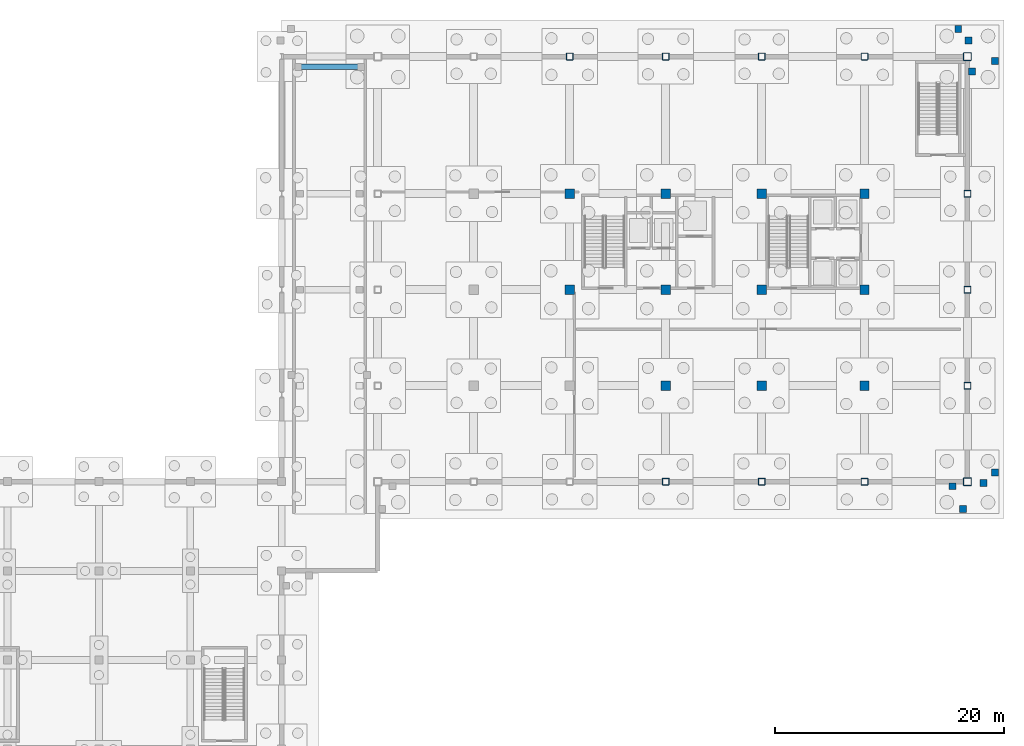
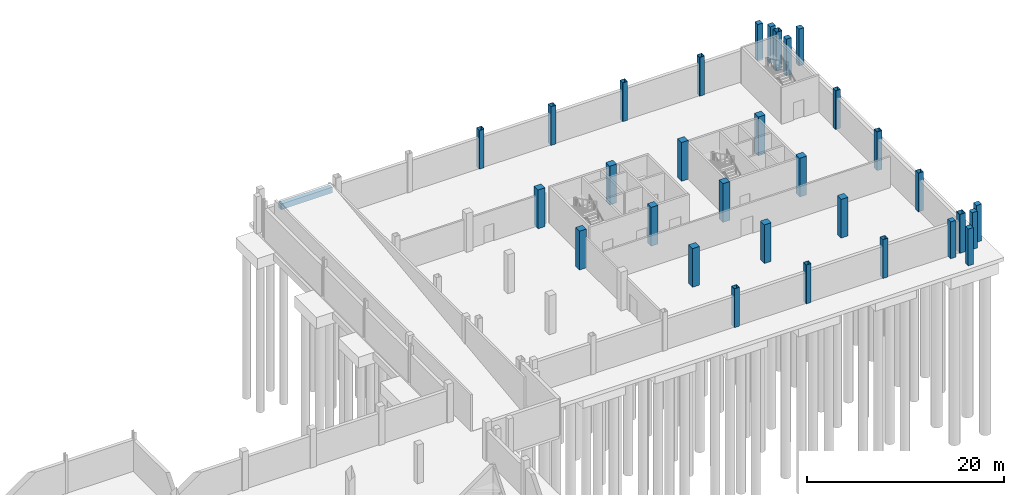
# One storey, part 28 of 44: 31 columns, 1 beam.
"""IFC4 building model written with IfcOpenShell, lengths in metres."""

from ifc_helpers import new_model, si_unit, direction, frame, origin, origin_2d, place, context, subcontext, project, spatial, rectangle, hollow_rectangle, extrude, material, material_profile, profile_set, type_object, element, save


model = new_model("IFC4")

# Units and contexts
model_context = context("Model", 3, precision=1e-05, world=origin(), true_north=direction((0.0, 1.0)))
body_context = subcontext(model_context, "Body", "Model", "MODEL_VIEW")
ifc_project = project(units=[si_unit("LENGTHUNIT", "METRE"), si_unit("AREAUNIT", "SQUARE_METRE"), si_unit("VOLUMEUNIT", "CUBIC_METRE"), si_unit("PLANEANGLEUNIT", "RADIAN"), si_unit("MASSUNIT", "GRAM", prefix="KILO")], contexts=[model_context])

# Site, building, storey
site_placement = place(None, origin())
site = spatial("IfcSite", under=ifc_project, at=site_placement, CompositionType="ELEMENT")
building_placement = place(site_placement, origin())
building = spatial("IfcBuilding", under=site, at=building_placement, Name="Yukiwa Park Conservatory and Herbarium", CompositionType="ELEMENT")
storey_placement = place(building_placement, frame((0.0, 0.0, -4.800048828125)))
storey = spatial("IfcBuildingStorey", under=building, at=storey_placement, Name="B1", CompositionType="ELEMENT", Elevation=-4.800048828125)

# Columns
ifc_material_1 = material(Name="Concrete C40", Category="concrete")
ifc_material_profile_1 = material_profile(ifc_material_1, rectangle(XDim=0.60009765625, YDim=0.60009765625, at=origin_2d()), Name="RC 600x600")
ifc_profile_set_1 = profile_set([ifc_material_profile_1], Name="Concrete C40")
column_type_1 = type_object("IfcColumnType", Name="COL-B1-RC600", PredefinedType="COLUMN", material=ifc_profile_set_1)
for number, where, z_axis, x_axis, name in (
    (1, (168.10009765625, 116.60009765625, 0.0), (0.0, 0.0, 1.0), (1.0, 0.0, 0.0), "Exterior frost apron pier 2"),
    (2, (167.195068359375, 117.60009765625, 0.0), (0.0, 0.0, 1.0), (1.0, 0.0, 0.0), "Exterior frost apron pier 3"),
    (3, (169.39990234375, 77.89990234375, 0.0), (0.0, 0.0, 1.0), (1.0, 0.0, 0.0), "Exterior frost apron pier 9"),
    (4, (170.39990234375, 78.800048828125, 0.0), (0.0, 0.0, 1.0), (1.0, 0.0, 0.0), "Exterior frost apron pier 10"),
    (5, (170.39990234375, 114.800048828125, 0.0), (0.0, 0.0, 1.0), (1.0, 0.0, 0.0), "Exterior frost apron pier 11"),
    (6, (168.39990234375, 113.89990234375, 0.0), (0.0, 0.0, 1.0), (1.0, 0.0, 0.0), "Exterior frost apron pier 12"),
    (7, (167.60009765625, 75.60009765625, 0.0), (0.0, 0.0, 1.0), (1.0, 0.0, 0.0), "Exterior frost apron pier 38"),
    (8, (166.693115234375, 77.60009765625, 0.0), (0.0, 0.0, 1.0), (1.0, 0.0, 0.0), "Exterior frost apron pier 39"),
):
    element("IfcColumn", number, at=place(storey_placement, frame(where, z_axis=z_axis, x_axis=x_axis)), inside=storey, type_object=column_type_1, Name=name, PredefinedType="COLUMN", context=body_context, shape_type="SweptSolid", body=[
        extrude(rectangle(XDim=0.60009765625, YDim=0.60009765625, at=origin_2d()), origin(), (0.0, 0.0, 1.0), 4.56005859375),
    ])
ifc_material_2 = material(Name="Concrete C50", Category="concrete")
ifc_material_profile_2 = material_profile(ifc_material_2, rectangle(XDim=0.800048828125, YDim=0.800048828125, at=origin_2d()), Name="RC 800x800")
ifc_profile_set_2 = profile_set([ifc_material_profile_2], Name="Concrete C50")
column_type_2 = type_object("IfcColumnType", Name="COL-B1-RC800", PredefinedType="COLUMN", material=ifc_profile_set_2)
for number, where, z_axis, x_axis, name in (
    (9, (133.199951171875, 94.800048828125, 0.0), (0.0, 0.0, 1.0), (1.0, 0.0, 0.0), "B1 column V5-X1332-Y948"),
    (10, (133.199951171875, 103.199951171875, 0.0), (0.0, 0.0, 1.0), (1.0, 0.0, 0.0), "B1 column V5-X1332-Y1032"),
    (11, (141.60009765625, 86.39990234375, 0.0), (0.0, 0.0, 1.0), (1.0, 0.0, 0.0), "B1 column V5-X1416-Y864"),
    (12, (141.60009765625, 94.800048828125, 0.0), (0.0, 0.0, 1.0), (1.0, 0.0, 0.0), "B1 column V5-X1416-Y948"),
    (13, (141.60009765625, 103.199951171875, 0.0), (0.0, 0.0, 1.0), (1.0, 0.0, 0.0), "B1 column V5-X1416-Y1032"),
    (14, (150.0, 86.39990234375, 0.0), (0.0, 0.0, 1.0), (1.0, 0.0, 0.0), "B1 column V5-X1500-Y864"),
    (15, (150.0, 94.800048828125, 0.0), (0.0, 0.0, 1.0), (1.0, 0.0, 0.0), "B1 column V5-X1500-Y948"),
    (16, (150.0, 103.199951171875, 0.0), (0.0, 0.0, 1.0), (1.0, 0.0, 0.0), "B1 column V5-X1500-Y1032"),
    (17, (159.0, 86.39990234375, 0.0), (0.0, 0.0, 1.0), (1.0, 0.0, 0.0), "B1 column V5-X1590-Y864"),
    (18, (159.0, 94.800048828125, 0.0), (0.0, 0.0, 1.0), (1.0, 0.0, 0.0), "B1 column V5-X1590-Y948"),
    (19, (159.0, 103.199951171875, 0.0), (0.0, 0.0, 1.0), (1.0, 0.0, 0.0), "B1 column V5-X1590-Y1032"),
):
    element("IfcColumn", number, at=place(storey_placement, frame(where, z_axis=z_axis, x_axis=x_axis)), inside=storey, type_object=column_type_2, Name=name, PredefinedType="COLUMN", context=body_context, shape_type="SweptSolid", body=[
        extrude(rectangle(XDim=0.800048828125, YDim=0.800048828125, at=origin_2d()), origin(), (0.0, 0.0, 1.0), 4.800048828125),
    ])
ifc_material_3 = material(Name="Steel Q355D", Category="steel")
ifc_material_profile_3 = material_profile(ifc_material_3, hollow_rectangle(XDim=0.60009765625, YDim=0.60009765625, WallThickness=0.02490234375, InnerFilletRadius=0.02490234375, OuterFilletRadius=0.050048828125, at=origin_2d()), Name="BOX 600x600x25")
ifc_profile_set_3 = profile_set([ifc_material_profile_3], Name="Steel Q355D")
column_type_3 = type_object("IfcColumnType", Name="COL-TW-BOX600", PredefinedType="COLUMN", material=ifc_profile_set_3)
for number, where, z_axis, x_axis, name in (
    (20, (133.199951171875, 115.199951171875, 0.0), (0.0, 0.0, 1.0), (1.0, 0.0, 0.0), "B1 column V5-X1332-Y1152"),
    (21, (141.60009765625, 78.0, 0.0), (0.0, 0.0, 1.0), (1.0, 0.0, 0.0), "B1 column V5-X1416-Y780"),
    (22, (141.60009765625, 115.199951171875, 0.0), (0.0, 0.0, 1.0), (1.0, 0.0, 0.0), "B1 column V5-X1416-Y1152"),
    (23, (150.0, 78.0, 0.0), (0.0, 0.0, 1.0), (1.0, 0.0, 0.0), "B1 column V5-X1500-Y780"),
    (24, (150.0, 115.199951171875, 0.0), (0.0, 0.0, 1.0), (1.0, 0.0, 0.0), "B1 column V5-X1500-Y1152"),
    (25, (159.0, 78.0, 0.0), (0.0, 0.0, 1.0), (1.0, 0.0, 0.0), "B1 column V5-X1590-Y780"),
    (26, (159.0, 115.199951171875, 0.0), (0.0, 0.0, 1.0), (1.0, 0.0, 0.0), "B1 column V5-X1590-Y1152"),
    (27, (168.0, 86.39990234375, 0.0), (0.0, 0.0, 1.0), (1.0, 0.0, 0.0), "B1 column V5-X1680-Y864"),
    (28, (168.0, 94.800048828125, 0.0), (0.0, 0.0, 1.0), (1.0, 0.0, 0.0), "B1 column V5-X1680-Y948"),
    (29, (168.0, 103.199951171875, 0.0), (0.0, 0.0, 1.0), (1.0, 0.0, 0.0), "B1 column V5-X1680-Y1032"),
):
    element("IfcColumn", number, at=place(storey_placement, frame(where, z_axis=z_axis, x_axis=x_axis)), inside=storey, type_object=column_type_3, Name=name, PredefinedType="COLUMN", context=body_context, shape_type="SweptSolid", body=[
        extrude(hollow_rectangle(XDim=0.60009765625, YDim=0.60009765625, WallThickness=0.02490234375, InnerFilletRadius=0.02490234375, OuterFilletRadius=0.050048828125, at=origin_2d()), origin(), (0.0, 0.0, 1.0), 4.800048828125),
    ])
ifc_material_4 = material(Name="Steel Q355D", Category="steel")
ifc_material_profile_4 = material_profile(ifc_material_4, hollow_rectangle(XDim=0.699951171875, YDim=0.699951171875, WallThickness=0.031982421875, InnerFilletRadius=0.031982421875, OuterFilletRadius=0.06396484375, at=origin_2d()), Name="BOX 700x700x32")
ifc_profile_set_4 = profile_set([ifc_material_profile_4], Name="Steel Q355D")
column_type_4 = type_object("IfcColumnType", Name="COL-TW-BOX700", PredefinedType="COLUMN", material=ifc_profile_set_4)
for number, where, z_axis, x_axis, name in (
    (30, (168.0, 78.0, 0.0), (0.0, 0.0, 1.0), (1.0, 0.0, 0.0), "B1 column V5-X1680-Y780"),
    (31, (168.0, 115.199951171875, 0.0), (0.0, 0.0, 1.0), (1.0, 0.0, 0.0), "B1 column V5-X1680-Y1152"),
):
    element("IfcColumn", number, at=place(storey_placement, frame(where, z_axis=z_axis, x_axis=x_axis)), inside=storey, type_object=column_type_4, Name=name, PredefinedType="COLUMN", context=body_context, shape_type="SweptSolid", body=[
        extrude(hollow_rectangle(XDim=0.699951171875, YDim=0.699951171875, WallThickness=0.031982421875, InnerFilletRadius=0.031982421875, OuterFilletRadius=0.06396484375, at=origin_2d()), origin(), (0.0, 0.0, 1.0), 4.800048828125),
    ])

# Beam
ifc_material_5 = material(Name="Concrete C40", Category="concrete")
ifc_material_profile_5 = material_profile(ifc_material_5, rectangle(XDim=0.5, YDim=0.699951171875, at=origin_2d()), Name="RC 500x700")
ifc_profile_set_5 = profile_set([ifc_material_profile_5], Name="Concrete C40")
beam_type = type_object("IfcBeamType", Name="BM-RC-500X700", PredefinedType="BEAM", material=ifc_profile_set_5)
beam_placement = place(storey_placement, frame((109.199951171875, 114.300048828125, 4.150146484375), z_axis=(1.0, 0.0, 0.0), x_axis=(0.0, 1.0, 0.0)))
element("IfcBeam", 32, at=beam_placement, inside=storey, type_object=beam_type, Name="Service ramp R1 top threshold support beam", PredefinedType="BEAM", context=body_context, shape_type="SweptSolid", body=[
    extrude(rectangle(XDim=0.5, YDim=0.699951171875, at=origin_2d()), origin(), (0.0, 0.0, 1.0), 6.0),
])

save(model, "model.ifc")
